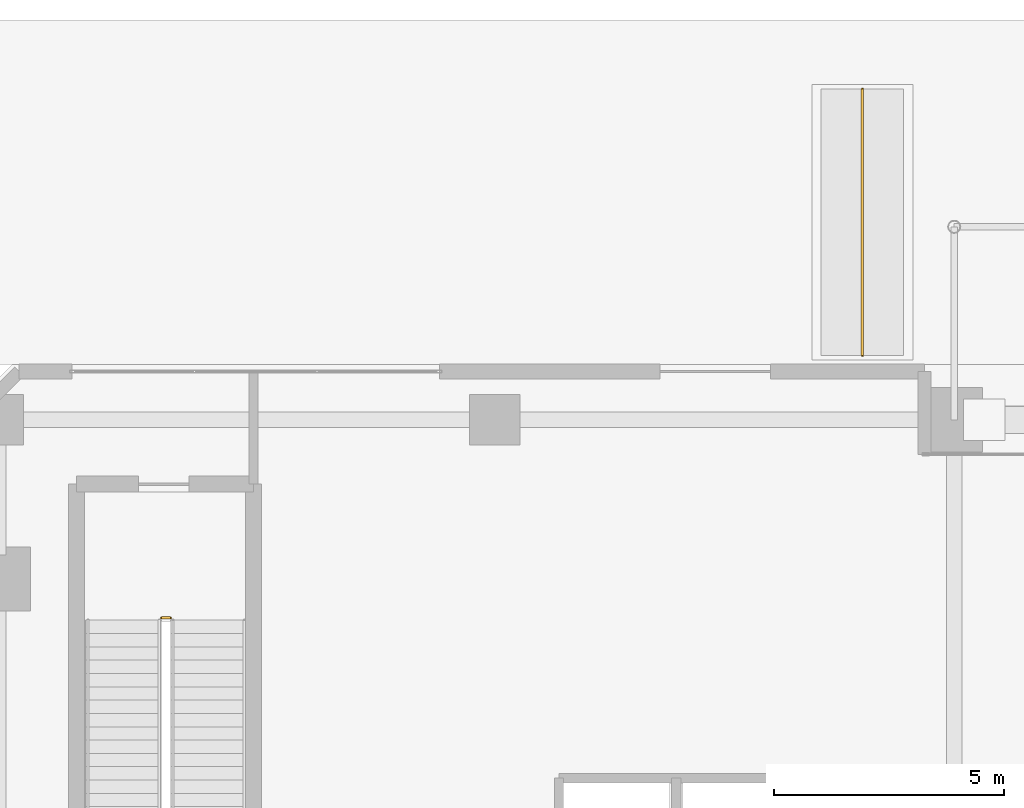
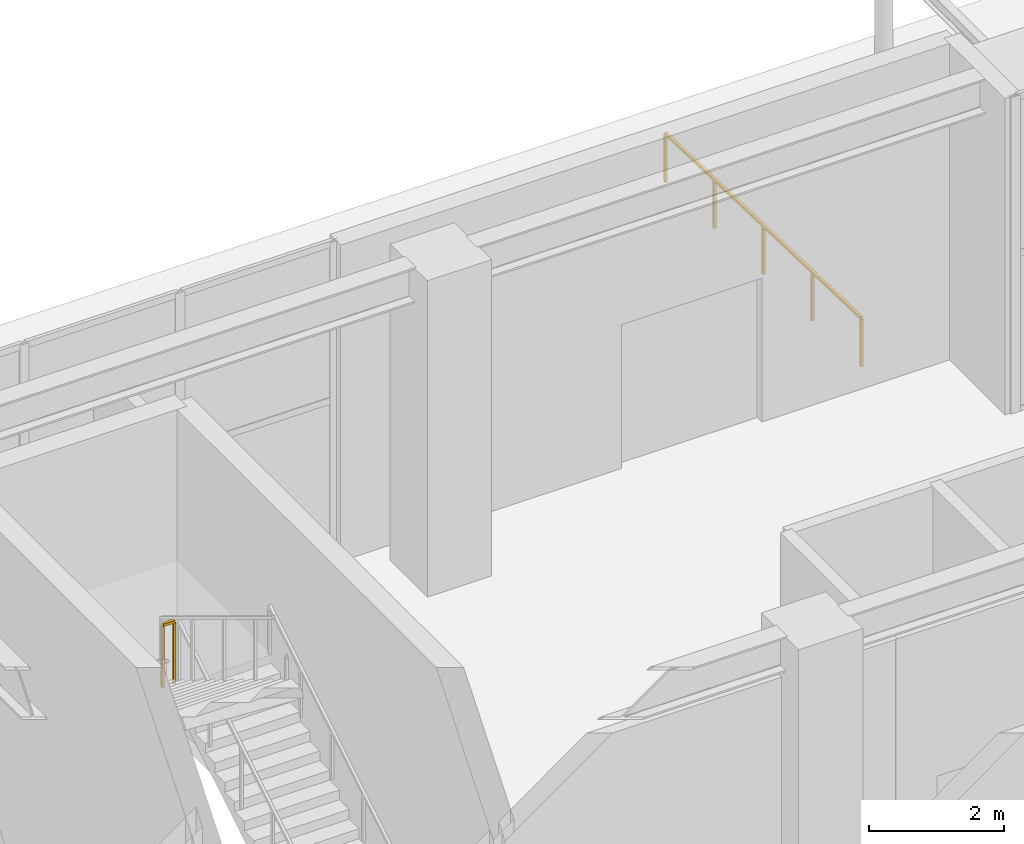
# One storey, part 47 of 49: 2 railings.
"""IFC4 building model written with IfcOpenShell, lengths in metres."""

from ifc_helpers import new_model, si_unit, direction, frame, origin, origin_2d, place, context, subcontext, project, spatial, rectangle, extrude, material, type_object, element, save


model = new_model("IFC4")

# Units and contexts
model_context = context("Model", 3, precision=1e-05, world=origin(), true_north=direction((0.0, 1.0)))
body_context = subcontext(model_context, "Body", "Model", "MODEL_VIEW")
ifc_project = project(units=[si_unit("LENGTHUNIT", "METRE"), si_unit("AREAUNIT", "SQUARE_METRE"), si_unit("VOLUMEUNIT", "CUBIC_METRE"), si_unit("PLANEANGLEUNIT", "RADIAN"), si_unit("MASSUNIT", "GRAM", prefix="KILO")], contexts=[model_context])

# Site, building, storey
site_placement = place(None, origin())
site = spatial("IfcSite", under=ifc_project, at=site_placement, CompositionType="ELEMENT")
building_placement = place(site_placement, origin())
building = spatial("IfcBuilding", under=site, at=building_placement, Name="Sarneth Arch Tower", CompositionType="ELEMENT")
storey_placement = place(building_placement, origin())
storey = spatial("IfcBuildingStorey", under=building, at=storey_placement, Name="L00", CompositionType="ELEMENT", Elevation=0.0)

# Railings
ifc_material_1 = material(Name="Brushed Stainless Steel 304 tubular handrail", Category="steel")
railing_type_1 = type_object("IfcRailingType", Name="RAIL-HANDRAIL-900", PredefinedType="HANDRAIL", material=ifc_material_1)
railing_1_placement = place(storey_placement, frame((28.0, 82.0, -0.179931640625)))
element("IfcRailing", 1, at=railing_1_placement, inside=storey, type_object=railing_type_1, Name="Ramp handrail RMP-PLAZA-N1", PredefinedType="HANDRAIL", context=body_context, shape_type="SweptSolid", body=[
    extrude(rectangle(XDim=0.048095703125, YDim=0.048095703125, at=origin_2d()), frame((0.0, 0.0, 0.8759765625), z_axis=(0.0, -0.999519151294, 0.031007518395), x_axis=(1.0, 0.0, 0.0)), (0.0, 0.0, 1.0), 5.802734375),
    extrude(rectangle(XDim=0.0419921875, YDim=0.0419921875, at=origin_2d()), origin(), (0.0, 0.0, 1.0), 0.851806640625),
    extrude(rectangle(XDim=0.0419921875, YDim=0.0419921875, at=origin_2d()), frame((0.0, -1.449951171875, 0.044921875)), (0.0, 0.0, 1.0), 0.851806640625),
    extrude(rectangle(XDim=0.0419921875, YDim=0.0419921875, at=origin_2d()), frame((0.0, -2.89990234375, 0.08984375)), (0.0, 0.0, 1.0), 0.851806640625),
    extrude(rectangle(XDim=0.0419921875, YDim=0.0419921875, at=origin_2d()), frame((0.0, -4.35009765625, 0.135009765625)), (0.0, 0.0, 1.0), 0.851806640625),
    extrude(rectangle(XDim=0.0419921875, YDim=0.0419921875, at=origin_2d()), frame((0.0, -5.800048828125, 0.179931640625)), (0.0, 0.0, 1.0), 0.851806640625),
])
ifc_material_2 = material(Name="Painted Steel S275 stair well guard", Category="steel")
railing_type_2 = type_object("IfcRailingType", Name="RAIL-STAIR-GUARD", PredefinedType="GUARDRAIL", material=ifc_material_2)
railing_2_placement = place(storey_placement, frame((12.949951171875, 70.489990234375, 3.0)))
element("IfcRailing", 2, at=railing_2_placement, inside=storey, type_object=railing_type_2, Name="L00 ST-P1 stair guard 2", PredefinedType="GUARDRAIL", context=body_context, shape_type="SweptSolid", body=[
    extrude(rectangle(XDim=0.048095703125, YDim=0.048095703125, at=origin_2d()), frame((0.0, 0.0, 1.1259765625), z_axis=(-1.0, 0.0, 0.0), x_axis=(0.0, -1.0, 0.0)), (0.0, 0.0, 1.0), 0.199951171875),
    extrude(rectangle(XDim=0.0419921875, YDim=0.0419921875, at=origin_2d()), origin(), (0.0, 0.0, 1.0), 1.101806640625),
    extrude(rectangle(XDim=0.0419921875, YDim=0.0419921875, at=origin_2d()), frame((-0.199951171875, 0.0, 0.0)), (0.0, 0.0, 1.0), 1.101806640625),
])

save(model, "model.ifc")
